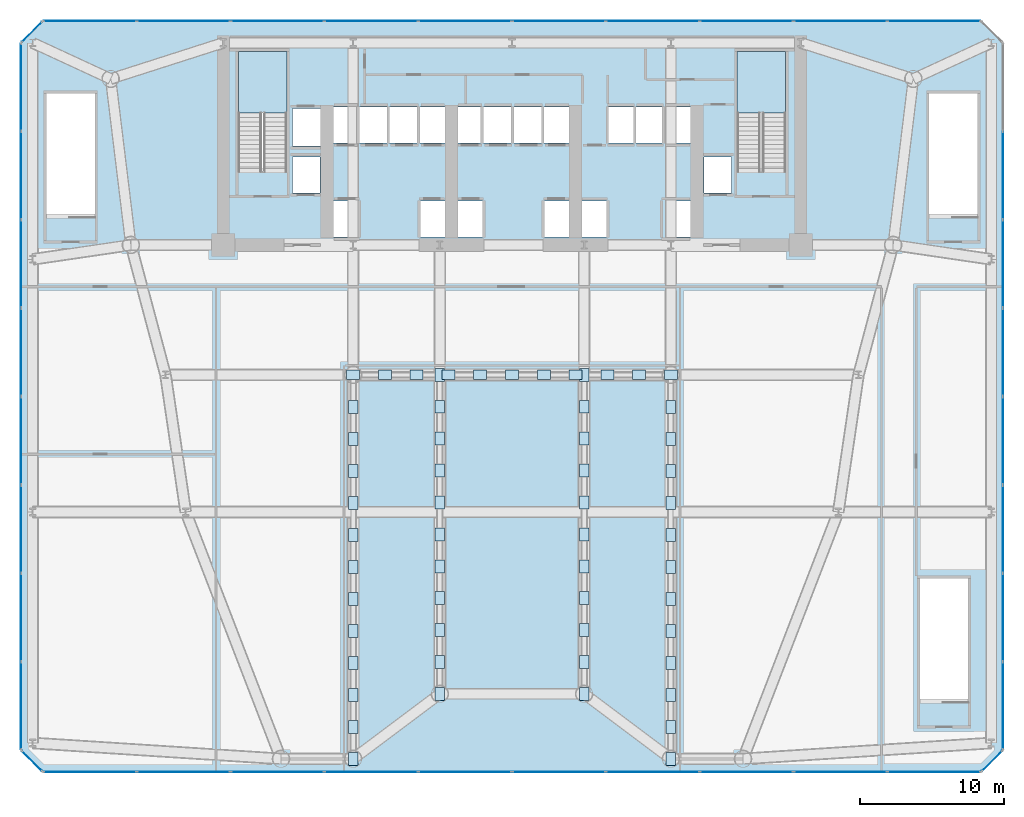
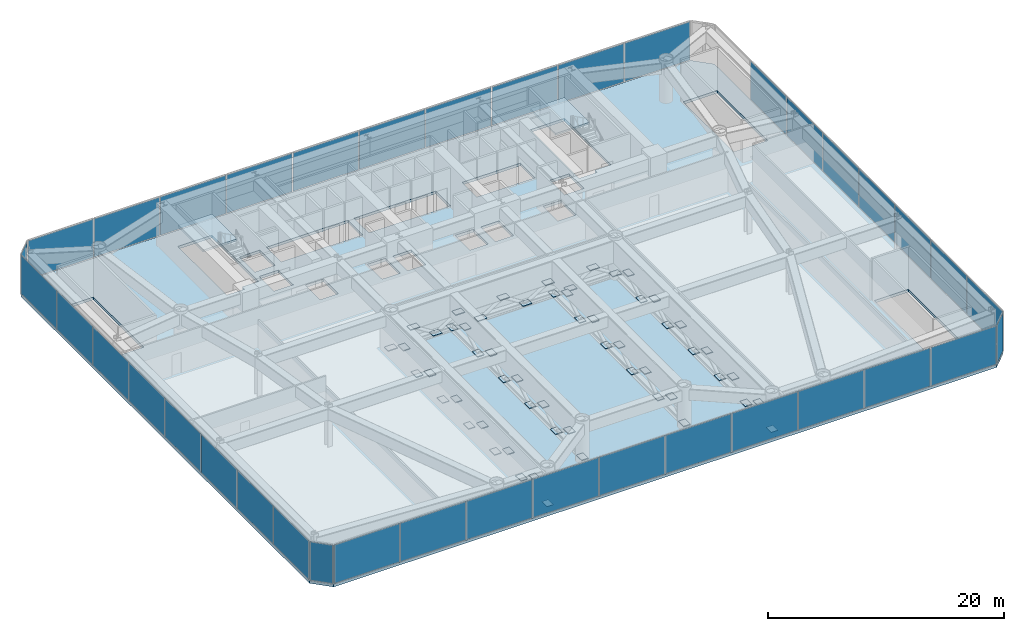
# One storey, part 12 of 21: 95 plates, 3 slabs, 9 elements without a shape of their own.
"""IFC4 building model written with IfcOpenShell, lengths in metres."""

from ifc_helpers import new_model, si_unit, direction, frame, origin, origin_2d, place, context, subcontext, project, spatial, polyline, rectangle, outline, extrude, source, transform, mapped, material, layer, layer_set, type_object, element, aggregate, save


model = new_model("IFC4")

# Units and contexts
model_context = context("Model", 3, precision=1e-05, world=origin(), true_north=direction((0.0, 1.0)))
body_context = subcontext(model_context, "Body", "Model", "MODEL_VIEW")
ifc_project = project(units=[si_unit("LENGTHUNIT", "METRE"), si_unit("AREAUNIT", "SQUARE_METRE"), si_unit("VOLUMEUNIT", "CUBIC_METRE"), si_unit("PLANEANGLEUNIT", "RADIAN"), si_unit("MASSUNIT", "GRAM", prefix="KILO")], contexts=[model_context])

# Site, building, storey
site_placement = place(None, origin())
site = spatial("IfcSite", under=ifc_project, at=site_placement, CompositionType="ELEMENT")
building_placement = place(site_placement, origin())
building = spatial("IfcBuilding", under=site, at=building_placement, Name="Vaeldorn Concourse Tower", CompositionType="ELEMENT")
storey_placement = place(building_placement, frame((0.0, 0.0, 14.39990234375)))
storey = spatial("IfcBuildingStorey", under=building, at=storey_placement, Name="L03", CompositionType="ELEMENT", Elevation=14.39990234375)

# Slab
ifc_material_1 = material(Name="Concrete C40/50", Category="concrete")
ifc_layer_1 = layer(ifc_material_1, 0.280029296875)
ifc_layer_set_1 = layer_set([ifc_layer_1], Name="Concrete C40/50")
slab_type_1 = type_object("IfcSlabType", Name="SL-POD-280", PredefinedType="FLOOR", material=ifc_layer_set_1)
slab_1_placement = place(storey_placement, frame((0.0, 0.0, -0.27978515625)))
element("IfcSlab", 1, at=slab_1_placement, inside=storey, type_object=slab_type_1, Name="Structural Floor Slab L03", PredefinedType="FLOOR", context=body_context, shape_type="SweptSolid", body=[
    extrude(outline(polyline([(1.5, 0.0), (66.5, 0.0), (68.0, 1.5), (68.0, 50.5), (66.5, 52.0), (1.5, 52.0), (0.0, 50.5), (0.0, 1.5), (1.5, 0.0)]), holes=[polyline([(18.39990234375, 42.0), (18.39990234375, 49.89990234375), (15.050048828125, 49.89990234375), (15.050048828125, 41.60009765625), (16.800048828125, 41.60009765625), (16.800048828125, 42.0), (18.39990234375, 42.0)]), polyline([(52.949951171875, 42.0), (52.949951171875, 49.89990234375), (49.60009765625, 49.89990234375), (49.60009765625, 41.60009765625), (51.35009765625, 41.60009765625), (51.35009765625, 42.0), (52.949951171875, 42.0)]), polyline([(5.10009765625, 38.449951171875), (5.10009765625, 47.0), (1.75, 47.0), (1.75, 38.449951171875), (5.10009765625, 38.449951171875)]), polyline([(66.25, 38.449951171875), (66.25, 47.0), (62.89990234375, 47.0), (62.89990234375, 38.449951171875), (66.25, 38.449951171875)]), polyline([(65.60009765625, 4.85009765625), (65.60009765625, 13.39990234375), (62.25, 13.39990234375), (62.25, 4.85009765625), (65.60009765625, 4.85009765625)]), polyline([(21.550048828125, 37.050048828125), (23.35009765625, 37.050048828125), (23.35009765625, 39.550048828125), (21.550048828125, 39.550048828125), (21.550048828125, 37.050048828125)]), polyline([(27.64990234375, 37.050048828125), (29.449951171875, 37.050048828125), (29.449951171875, 39.550048828125), (27.64990234375, 39.550048828125), (27.64990234375, 37.050048828125)]), polyline([(21.5, 43.550048828125), (29.5, 43.550048828125), (29.5, 46.050048828125), (21.5, 46.050048828125), (21.5, 43.550048828125)]), polyline([(30.14990234375, 37.050048828125), (31.949951171875, 37.050048828125), (31.949951171875, 39.550048828125), (30.14990234375, 39.550048828125), (30.14990234375, 37.050048828125)]), polyline([(36.25, 37.050048828125), (38.050048828125, 37.050048828125), (38.050048828125, 39.550048828125), (36.25, 39.550048828125), (36.25, 37.050048828125)]), polyline([(30.10009765625, 43.550048828125), (38.10009765625, 43.550048828125), (38.10009765625, 46.050048828125), (30.10009765625, 46.050048828125), (30.10009765625, 43.550048828125)]), polyline([(38.75, 37.050048828125), (40.550048828125, 37.050048828125), (40.550048828125, 39.550048828125), (38.75, 39.550048828125), (38.75, 37.050048828125)]), polyline([(44.85009765625, 37.050048828125), (46.64990234375, 37.050048828125), (46.64990234375, 39.550048828125), (44.85009765625, 39.550048828125), (44.85009765625, 37.050048828125)]), polyline([(40.699951171875, 43.550048828125), (46.39990234375, 43.550048828125), (46.39990234375, 46.050048828125), (40.699951171875, 46.050048828125), (40.699951171875, 43.550048828125)]), polyline([(18.800048828125, 43.35009765625), (20.800048828125, 43.35009765625), (20.800048828125, 45.949951171875), (18.800048828125, 45.949951171875), (18.800048828125, 43.35009765625)]), polyline([(18.800048828125, 40.10009765625), (20.699951171875, 40.10009765625), (20.699951171875, 42.60009765625), (18.800048828125, 42.60009765625), (18.800048828125, 40.10009765625)]), polyline([(47.300048828125, 40.10009765625), (49.199951171875, 40.10009765625), (49.199951171875, 42.60009765625), (47.300048828125, 42.60009765625), (47.300048828125, 40.10009765625)])]), origin(), (0.0, 0.0, 1.0), 0.27978515625),
])

# Stair, slab
ifc_material_2 = material(Name="Precast concrete C40/50", Category="concrete")
stair_type = type_object("IfcStairType", Name="STR-DOG-28x157", PredefinedType="HALF_TURN_STAIR", material=ifc_material_2)
stair_1_placement = place(storey_placement, origin())
stair_1 = element("IfcStair", 2, at=stair_1_placement, inside=storey, type_object=stair_type, Name="L03 West Core Exit Stair ST-1", PredefinedType="HALF_TURN_STAIR")
ifc_layer_2 = layer(ifc_material_1, 0.199951171875)
ifc_layer_set_2 = layer_set([ifc_layer_2], Name="Concrete C40/50")
slab_type_2 = type_object("IfcSlabType", Name="SL-STAIR-LANDING", PredefinedType="LANDING", material=ifc_layer_set_2)
slab_2_placement = place(storey_placement, frame((0.0, 0.0, 2.0)))
slab_2 = element("IfcSlab", 3, at=slab_2_placement, type_object=slab_type_2, Name="ST-1 landing 1", PredefinedType="LANDING", context=body_context, shape_type="SweptSolid", body=[
    extrude(outline(polyline([(18.39990234375, 45.6298828125), (18.39990234375, 49.89990234375), (15.050048828125, 49.89990234375), (15.050048828125, 45.6298828125), (18.39990234375, 45.6298828125)])), origin(), (0.0, 0.0, 1.0), 0.2001953125),
])
aggregate(stair_1, [slab_2])

stair_2_placement = place(storey_placement, origin())
stair_2 = element("IfcStair", 4, at=stair_2_placement, inside=storey, type_object=stair_type, Name="L03 East Core Exit Stair ST-2", PredefinedType="HALF_TURN_STAIR")
slab_3_placement = place(storey_placement, frame((0.0, 0.0, 2.0)))
slab_3 = element("IfcSlab", 5, at=slab_3_placement, type_object=slab_type_2, Name="ST-2 landing 1", PredefinedType="LANDING", context=body_context, shape_type="SweptSolid", body=[
    extrude(outline(polyline([(52.949951171875, 45.6298828125), (52.949951171875, 49.89990234375), (49.60009765625, 49.89990234375), (49.60009765625, 45.6298828125), (52.949951171875, 45.6298828125)])), origin(), (0.0, 0.0, 1.0), 0.2001953125),
])
aggregate(stair_2, [slab_3])

# Plates
ifc_material_3 = material(Name="Steel S460", Category="steel")
ifc_layer_3 = layer(ifc_material_3, 0.050048828125)
ifc_layer_set_3 = layer_set([ifc_layer_3], Name="Steel S460")
plate_type_1 = type_object("IfcPlateType", Name="PL-GUSSET-TN1", PredefinedType="USERDEFINED", material=ifc_layer_set_3)
shared_shape_1 = source(origin(), body_context, "Body", "SweptSolid", [
    extrude(rectangle(XDim=0.89990234375, YDim=0.64990234375, at=origin_2d()), origin(), (0.0, 0.0, 1.0), 0.050048828125),
])
for number, where, z_axis, x_axis, name in (
    (6, (23.0, 5.333251953125, 0.294921875), (0.0, 0.0, 1.0), (0.0, 1.0, 0.0), "Transfer Node Gusset TN1-1.1"),
    (7, (23.0, 23.066650390625, 0.294921875), (0.0, 0.0, 1.0), (0.0, 1.0, 0.0), "Transfer Node Gusset TN1-1.2"),
    (8, (29.0, 9.820068359375, 0.294921875), (0.0, 0.0, 1.0), (0.0, 1.0, 0.0), "Transfer Node Gusset TN1-2.1"),
    (9, (29.0, 23.080078125, 0.294921875), (0.0, 0.0, 1.0), (0.0, 1.0, 0.0), "Transfer Node Gusset TN1-2.2"),
    (10, (39.0, 9.820068359375, 0.294921875), (0.0, 0.0, 1.0), (0.0, 1.0, 0.0), "Transfer Node Gusset TN1-3.1"),
    (11, (39.0, 23.080078125, 0.294921875), (0.0, 0.0, 1.0), (0.0, 1.0, 0.0), "Transfer Node Gusset TN1-3.2"),
    (12, (45.0, 5.333251953125, 0.294921875), (0.0, 0.0, 1.0), (0.0, 1.0, 0.0), "Transfer Node Gusset TN1-4.1"),
    (13, (45.0, 23.066650390625, 0.294921875), (0.0, 0.0, 1.0), (0.0, 1.0, 0.0), "Transfer Node Gusset TN1-4.2"),
    (14, (23.0, 27.5, 0.294921875), (0.0, 0.0, 1.0), (1.0, 0.0, 0.0), "Structural Brace Connection Gusset L03-01"),
    (15, (25.199951171875, 27.5, 1.6953125), (0.0, 0.0, 1.0), (1.0, 0.0, 0.0), "Structural Brace Connection Gusset L03-02"),
    (16, (27.39990234375, 27.5, 0.294921875), (0.0, 0.0, 1.0), (1.0, 0.0, 0.0), "Structural Brace Connection Gusset L03-03"),
    (17, (29.60009765625, 27.5, 1.6953125), (0.0, 0.0, 1.0), (1.0, 0.0, 0.0), "Structural Brace Connection Gusset L03-04"),
    (18, (31.800048828125, 27.5, 0.294921875), (0.0, 0.0, 1.0), (1.0, 0.0, 0.0), "Structural Brace Connection Gusset L03-05"),
    (19, (34.0, 27.5, 1.6953125), (0.0, 0.0, 1.0), (1.0, 0.0, 0.0), "Structural Brace Connection Gusset L03-06"),
    (20, (36.199951171875, 27.5, 0.294921875), (0.0, 0.0, 1.0), (1.0, 0.0, 0.0), "Structural Brace Connection Gusset L03-07"),
    (21, (38.39990234375, 27.5, 1.6953125), (0.0, 0.0, 1.0), (1.0, 0.0, 0.0), "Structural Brace Connection Gusset L03-08"),
    (22, (40.60009765625, 27.5, 0.294921875), (0.0, 0.0, 1.0), (1.0, 0.0, 0.0), "Structural Brace Connection Gusset L03-09"),
    (23, (42.800048828125, 27.5, 1.6953125), (0.0, 0.0, 1.0), (1.0, 0.0, 0.0), "Structural Brace Connection Gusset L03-10"),
    (24, (45.0, 27.5, 0.294921875), (0.0, 0.0, 1.0), (1.0, 0.0, 0.0), "Structural Brace Connection Gusset L03-11"),
    (25, (23.0, 0.89990234375, 0.294921875), (0.0, 0.0, 1.0), (0.0, 1.0, 0.0), "Structural Brace Connection Gusset L03-12"),
    (26, (23.0, 3.11669921875, 1.6953125), (0.0, 0.0, 1.0), (0.0, 1.0, 0.0), "Structural Brace Connection Gusset L03-13"),
    (27, (23.0, 7.550048828125, 1.6953125), (0.0, 0.0, 1.0), (0.0, 1.0, 0.0), "Structural Brace Connection Gusset L03-14"),
    (28, (23.0, 9.7666015625, 0.294921875), (0.0, 0.0, 1.0), (0.0, 1.0, 0.0), "Structural Brace Connection Gusset L03-15"),
    (29, (23.0, 11.9833984375, 1.6953125), (0.0, 0.0, 1.0), (0.0, 1.0, 0.0), "Structural Brace Connection Gusset L03-16"),
    (30, (23.0, 14.199951171875, 0.294921875), (0.0, 0.0, 1.0), (0.0, 1.0, 0.0), "Structural Brace Connection Gusset L03-17"),
    (31, (23.0, 16.416748046875, 1.6953125), (0.0, 0.0, 1.0), (0.0, 1.0, 0.0), "Structural Brace Connection Gusset L03-18"),
    (32, (23.0, 18.63330078125, 0.294921875), (0.0, 0.0, 1.0), (0.0, 1.0, 0.0), "Structural Brace Connection Gusset L03-19"),
    (33, (23.0, 20.85009765625, 1.6953125), (0.0, 0.0, 1.0), (0.0, 1.0, 0.0), "Structural Brace Connection Gusset L03-20"),
    (34, (23.0, 25.283203125, 1.6953125), (0.0, 0.0, 1.0), (0.0, 1.0, 0.0), "Structural Brace Connection Gusset L03-21"),
    (35, (29.0, 5.39990234375, 0.294921875), (0.0, 0.0, 1.0), (0.0, 1.0, 0.0), "Structural Brace Connection Gusset L03-22"),
    (36, (29.0, 7.610107421875, 1.6953125), (0.0, 0.0, 1.0), (0.0, 1.0, 0.0), "Structural Brace Connection Gusset L03-23"),
    (37, (29.0, 12.030029296875, 1.6953125), (0.0, 0.0, 1.0), (0.0, 1.0, 0.0), "Structural Brace Connection Gusset L03-24"),
    (38, (29.0, 14.239990234375, 0.294921875), (0.0, 0.0, 1.0), (0.0, 1.0, 0.0), "Structural Brace Connection Gusset L03-25"),
    (39, (29.0, 16.449951171875, 1.6953125), (0.0, 0.0, 1.0), (0.0, 1.0, 0.0), "Structural Brace Connection Gusset L03-26"),
    (40, (29.0, 18.659912109375, 0.294921875), (0.0, 0.0, 1.0), (0.0, 1.0, 0.0), "Structural Brace Connection Gusset L03-27"),
    (41, (29.0, 20.8701171875, 1.6953125), (0.0, 0.0, 1.0), (0.0, 1.0, 0.0), "Structural Brace Connection Gusset L03-28"),
    (42, (29.0, 25.2900390625, 1.6953125), (0.0, 0.0, 1.0), (0.0, 1.0, 0.0), "Structural Brace Connection Gusset L03-29"),
    (43, (29.0, 27.5, 0.294921875), (0.0, 0.0, 1.0), (0.0, 1.0, 0.0), "Structural Brace Connection Gusset L03-30"),
    (44, (39.0, 5.39990234375, 0.294921875), (0.0, 0.0, 1.0), (0.0, 1.0, 0.0), "Structural Brace Connection Gusset L03-31"),
    (45, (39.0, 7.610107421875, 1.6953125), (0.0, 0.0, 1.0), (0.0, 1.0, 0.0), "Structural Brace Connection Gusset L03-32"),
    (46, (39.0, 12.030029296875, 1.6953125), (0.0, 0.0, 1.0), (0.0, 1.0, 0.0), "Structural Brace Connection Gusset L03-33"),
    (47, (39.0, 14.239990234375, 0.294921875), (0.0, 0.0, 1.0), (0.0, 1.0, 0.0), "Structural Brace Connection Gusset L03-34"),
    (48, (39.0, 16.449951171875, 1.6953125), (0.0, 0.0, 1.0), (0.0, 1.0, 0.0), "Structural Brace Connection Gusset L03-35"),
    (49, (39.0, 18.659912109375, 0.294921875), (0.0, 0.0, 1.0), (0.0, 1.0, 0.0), "Structural Brace Connection Gusset L03-36"),
    (50, (39.0, 20.8701171875, 1.6953125), (0.0, 0.0, 1.0), (0.0, 1.0, 0.0), "Structural Brace Connection Gusset L03-37"),
    (51, (39.0, 25.2900390625, 1.6953125), (0.0, 0.0, 1.0), (0.0, 1.0, 0.0), "Structural Brace Connection Gusset L03-38"),
    (52, (39.0, 27.5, 0.294921875), (0.0, 0.0, 1.0), (0.0, 1.0, 0.0), "Structural Brace Connection Gusset L03-39"),
    (53, (45.0, 0.89990234375, 0.294921875), (0.0, 0.0, 1.0), (0.0, 1.0, 0.0), "Structural Brace Connection Gusset L03-40"),
    (54, (45.0, 3.11669921875, 1.6953125), (0.0, 0.0, 1.0), (0.0, 1.0, 0.0), "Structural Brace Connection Gusset L03-41"),
    (55, (45.0, 7.550048828125, 1.6953125), (0.0, 0.0, 1.0), (0.0, 1.0, 0.0), "Structural Brace Connection Gusset L03-42"),
    (56, (45.0, 9.7666015625, 0.294921875), (0.0, 0.0, 1.0), (0.0, 1.0, 0.0), "Structural Brace Connection Gusset L03-43"),
    (57, (45.0, 11.9833984375, 1.6953125), (0.0, 0.0, 1.0), (0.0, 1.0, 0.0), "Structural Brace Connection Gusset L03-44"),
    (58, (45.0, 14.199951171875, 0.294921875), (0.0, 0.0, 1.0), (0.0, 1.0, 0.0), "Structural Brace Connection Gusset L03-45"),
    (59, (45.0, 16.416748046875, 1.6953125), (0.0, 0.0, 1.0), (0.0, 1.0, 0.0), "Structural Brace Connection Gusset L03-46"),
    (60, (45.0, 18.63330078125, 0.294921875), (0.0, 0.0, 1.0), (0.0, 1.0, 0.0), "Structural Brace Connection Gusset L03-47"),
    (61, (45.0, 20.85009765625, 1.6953125), (0.0, 0.0, 1.0), (0.0, 1.0, 0.0), "Structural Brace Connection Gusset L03-48"),
    (62, (45.0, 25.283203125, 1.6953125), (0.0, 0.0, 1.0), (0.0, 1.0, 0.0), "Structural Brace Connection Gusset L03-49"),
):
    element("IfcPlate", number, at=place(storey_placement, frame(where, z_axis=z_axis, x_axis=x_axis)), inside=storey, type_object=plate_type_1, Name=name, ObjectType="GUSSET PLATE", PredefinedType="USERDEFINED", context=body_context, shape_type="MappedRepresentation", body=[
        mapped(shared_shape_1, transform((0.0, 0.0, 0.0), scale=1.0)),
    ])

# Curtain wall, plates
ifc_material_4 = material(Name="Anodised Bronze Aluminium", Category="aluminium")
ifc_layer_4 = layer(ifc_material_4, 0.239990234375)
ifc_layer_set_4 = layer_set([ifc_layer_4], Name="Anodised Bronze Aluminium")
curtain_wall_type = type_object("IfcCurtainWallType", Name="CW-SYS-04", PredefinedType="NOTDEFINED", material=ifc_layer_set_4)
curtain_wall_1_placement = place(storey_placement, origin())
curtain_wall_1 = element("IfcCurtainWall", 63, at=curtain_wall_1_placement, inside=storey, type_object=curtain_wall_type, Name="Unitised Curtain Wall CW-L03-E01-1", PredefinedType="NOTDEFINED")
ifc_material_5 = material(Name="Bronze Tinted Low-E Insulated Glass", Category="glass")
ifc_layer_5 = layer(ifc_material_5, 0.031982421875)
ifc_layer_set_5 = layer_set([ifc_layer_5], Name="Bronze Tinted Low-E Insulated Glass")
plate_type_2 = type_object("IfcPlateType", Name="CWP-VISION-32", PredefinedType="CURTAIN_PANEL", material=ifc_layer_set_5)
shared_shape_2 = source(origin(), body_context, "Body", "SweptSolid", [
    extrude(rectangle(XDim=6.387451171875, YDim=0.031982421875, at=origin_2d()), origin(), (0.0, 0.0, 1.0), 3.969970703125),
])
plate_1_placement = place(storey_placement, frame((4.768798828125, 0.0, 0.0751953125), z_axis=(0.0, 0.0, 1.0), x_axis=(1.0, 0.0, 0.0)))
plate_1 = element("IfcPlate", 64, at=plate_1_placement, type_object=plate_type_2, Name="CW-04 panel 1.1", PredefinedType="CURTAIN_PANEL", context=body_context, shape_type="MappedRepresentation", body=[
    mapped(shared_shape_2, transform((0.0, 0.0, 0.0), scale=1.0)),
])
plate_2_placement = place(storey_placement, frame((63.231201171875, 0.0, 0.0751953125), z_axis=(0.0, 0.0, 1.0), x_axis=(1.0, 0.0, 0.0)))
plate_2 = element("IfcPlate", 65, at=plate_2_placement, type_object=plate_type_2, Name="CW-04 panel 10.1", PredefinedType="CURTAIN_PANEL", context=body_context, shape_type="MappedRepresentation", body=[
    mapped(shared_shape_2, transform((0.0, 0.0, 0.0), scale=1.0)),
])

curtain_wall_2_placement = place(storey_placement, origin())
curtain_wall_2 = element("IfcCurtainWall", 66, at=curtain_wall_2_placement, inside=storey, type_object=curtain_wall_type, Name="Unitised Curtain Wall CW-L03-E05-1", PredefinedType="NOTDEFINED")
plate_3_placement = place(storey_placement, frame((63.231201171875, 52.0, 0.0751953125), z_axis=(0.0, 0.0, 1.0), x_axis=(-1.0, 0.0, 0.0)))
plate_3 = element("IfcPlate", 67, at=plate_3_placement, type_object=plate_type_2, Name="CW-04 panel 1.1", PredefinedType="CURTAIN_PANEL", context=body_context, shape_type="MappedRepresentation", body=[
    mapped(shared_shape_2, transform((0.0, 0.0, 0.0), scale=1.0)),
])
plate_4_placement = place(storey_placement, frame((4.768798828125, 52.0, 0.0751953125), z_axis=(0.0, 0.0, 1.0), x_axis=(-1.0, 0.0, 0.0)))
plate_4 = element("IfcPlate", 68, at=plate_4_placement, type_object=plate_type_2, Name="CW-04 panel 10.1", PredefinedType="CURTAIN_PANEL", context=body_context, shape_type="MappedRepresentation", body=[
    mapped(shared_shape_2, transform((0.0, 0.0, 0.0), scale=1.0)),
])

# Plate
shared_shape_3 = source(origin(), body_context, "Body", "SweptSolid", [
    extrude(rectangle(XDim=6.425048828125, YDim=0.031982421875, at=origin_2d()), origin(), (0.0, 0.0, 1.0), 3.969970703125),
])
plate_5_placement = place(storey_placement, frame((11.25, 0.0, 0.0751953125), z_axis=(0.0, 0.0, 1.0), x_axis=(1.0, 0.0, 0.0)))
plate_5 = element("IfcPlate", 69, at=plate_5_placement, type_object=plate_type_2, Name="CW-04 panel 2.1", PredefinedType="CURTAIN_PANEL", context=body_context, shape_type="MappedRepresentation", body=[
    mapped(shared_shape_3, transform((0.0, 0.0, 0.0), scale=1.0)),
])

plate_6_placement = place(storey_placement, frame((17.75, 0.0, 0.0751953125), z_axis=(0.0, 0.0, 1.0), x_axis=(1.0, 0.0, 0.0)))
plate_6 = element("IfcPlate", 70, at=plate_6_placement, type_object=plate_type_2, Name="CW-04 panel 3.1", PredefinedType="CURTAIN_PANEL", context=body_context, shape_type="MappedRepresentation", body=[
    mapped(shared_shape_3, transform((0.0, 0.0, 0.0), scale=1.0)),
])

plate_7_placement = place(storey_placement, frame((24.25, 0.0, 0.0751953125), z_axis=(0.0, 0.0, 1.0), x_axis=(1.0, 0.0, 0.0)))
plate_7 = element("IfcPlate", 71, at=plate_7_placement, type_object=plate_type_2, Name="CW-04 panel 4.1", PredefinedType="CURTAIN_PANEL", context=body_context, shape_type="MappedRepresentation", body=[
    mapped(shared_shape_3, transform((0.0, 0.0, 0.0), scale=1.0)),
])

plate_8_placement = place(storey_placement, frame((30.75, 0.0, 0.0751953125), z_axis=(0.0, 0.0, 1.0), x_axis=(1.0, 0.0, 0.0)))
plate_8 = element("IfcPlate", 72, at=plate_8_placement, type_object=plate_type_2, Name="CW-04 panel 5.1", PredefinedType="CURTAIN_PANEL", context=body_context, shape_type="MappedRepresentation", body=[
    mapped(shared_shape_3, transform((0.0, 0.0, 0.0), scale=1.0)),
])

plate_9_placement = place(storey_placement, frame((37.25, 0.0, 0.0751953125), z_axis=(0.0, 0.0, 1.0), x_axis=(1.0, 0.0, 0.0)))
plate_9 = element("IfcPlate", 73, at=plate_9_placement, type_object=plate_type_2, Name="CW-04 panel 6.1", PredefinedType="CURTAIN_PANEL", context=body_context, shape_type="MappedRepresentation", body=[
    mapped(shared_shape_3, transform((0.0, 0.0, 0.0), scale=1.0)),
])

plate_10_placement = place(storey_placement, frame((43.75, 0.0, 0.0751953125), z_axis=(0.0, 0.0, 1.0), x_axis=(1.0, 0.0, 0.0)))
plate_10 = element("IfcPlate", 74, at=plate_10_placement, type_object=plate_type_2, Name="CW-04 panel 7.1", PredefinedType="CURTAIN_PANEL", context=body_context, shape_type="MappedRepresentation", body=[
    mapped(shared_shape_3, transform((0.0, 0.0, 0.0), scale=1.0)),
])

plate_11_placement = place(storey_placement, frame((50.25, 0.0, 0.0751953125), z_axis=(0.0, 0.0, 1.0), x_axis=(1.0, 0.0, 0.0)))
plate_11 = element("IfcPlate", 75, at=plate_11_placement, type_object=plate_type_2, Name="CW-04 panel 8.1", PredefinedType="CURTAIN_PANEL", context=body_context, shape_type="MappedRepresentation", body=[
    mapped(shared_shape_3, transform((0.0, 0.0, 0.0), scale=1.0)),
])

plate_12_placement = place(storey_placement, frame((56.75, 0.0, 0.0751953125), z_axis=(0.0, 0.0, 1.0), x_axis=(1.0, 0.0, 0.0)))
plate_12 = element("IfcPlate", 76, at=plate_12_placement, type_object=plate_type_2, Name="CW-04 panel 9.1", PredefinedType="CURTAIN_PANEL", context=body_context, shape_type="MappedRepresentation", body=[
    mapped(shared_shape_3, transform((0.0, 0.0, 0.0), scale=1.0)),
])

aggregate(curtain_wall_1, [plate_1, plate_5, plate_6, plate_7, plate_8, plate_9, plate_10, plate_11, plate_12, plate_2])

plate_13_placement = place(storey_placement, frame((56.75, 52.0, 0.0751953125), z_axis=(0.0, 0.0, 1.0), x_axis=(-1.0, 0.0, 0.0)))
plate_13 = element("IfcPlate", 77, at=plate_13_placement, type_object=plate_type_2, Name="CW-04 panel 2.1", PredefinedType="CURTAIN_PANEL", context=body_context, shape_type="MappedRepresentation", body=[
    mapped(shared_shape_3, transform((0.0, 0.0, 0.0), scale=1.0)),
])

plate_14_placement = place(storey_placement, frame((50.25, 52.0, 0.0751953125), z_axis=(0.0, 0.0, 1.0), x_axis=(-1.0, 0.0, 0.0)))
plate_14 = element("IfcPlate", 78, at=plate_14_placement, type_object=plate_type_2, Name="CW-04 panel 3.1", PredefinedType="CURTAIN_PANEL", context=body_context, shape_type="MappedRepresentation", body=[
    mapped(shared_shape_3, transform((0.0, 0.0, 0.0), scale=1.0)),
])

plate_15_placement = place(storey_placement, frame((43.75, 52.0, 0.0751953125), z_axis=(0.0, 0.0, 1.0), x_axis=(-1.0, 0.0, 0.0)))
plate_15 = element("IfcPlate", 79, at=plate_15_placement, type_object=plate_type_2, Name="CW-04 panel 4.1", PredefinedType="CURTAIN_PANEL", context=body_context, shape_type="MappedRepresentation", body=[
    mapped(shared_shape_3, transform((0.0, 0.0, 0.0), scale=1.0)),
])

plate_16_placement = place(storey_placement, frame((37.25, 52.0, 0.0751953125), z_axis=(0.0, 0.0, 1.0), x_axis=(-1.0, 0.0, 0.0)))
plate_16 = element("IfcPlate", 80, at=plate_16_placement, type_object=plate_type_2, Name="CW-04 panel 5.1", PredefinedType="CURTAIN_PANEL", context=body_context, shape_type="MappedRepresentation", body=[
    mapped(shared_shape_3, transform((0.0, 0.0, 0.0), scale=1.0)),
])

plate_17_placement = place(storey_placement, frame((30.75, 52.0, 0.0751953125), z_axis=(0.0, 0.0, 1.0), x_axis=(-1.0, 0.0, 0.0)))
plate_17 = element("IfcPlate", 81, at=plate_17_placement, type_object=plate_type_2, Name="CW-04 panel 6.1", PredefinedType="CURTAIN_PANEL", context=body_context, shape_type="MappedRepresentation", body=[
    mapped(shared_shape_3, transform((0.0, 0.0, 0.0), scale=1.0)),
])

plate_18_placement = place(storey_placement, frame((24.25, 52.0, 0.0751953125), z_axis=(0.0, 0.0, 1.0), x_axis=(-1.0, 0.0, 0.0)))
plate_18 = element("IfcPlate", 82, at=plate_18_placement, type_object=plate_type_2, Name="CW-04 panel 7.1", PredefinedType="CURTAIN_PANEL", context=body_context, shape_type="MappedRepresentation", body=[
    mapped(shared_shape_3, transform((0.0, 0.0, 0.0), scale=1.0)),
])

plate_19_placement = place(storey_placement, frame((17.75, 52.0, 0.0751953125), z_axis=(0.0, 0.0, 1.0), x_axis=(-1.0, 0.0, 0.0)))
plate_19 = element("IfcPlate", 83, at=plate_19_placement, type_object=plate_type_2, Name="CW-04 panel 8.1", PredefinedType="CURTAIN_PANEL", context=body_context, shape_type="MappedRepresentation", body=[
    mapped(shared_shape_3, transform((0.0, 0.0, 0.0), scale=1.0)),
])

plate_20_placement = place(storey_placement, frame((11.25, 52.0, 0.0751953125), z_axis=(0.0, 0.0, 1.0), x_axis=(-1.0, 0.0, 0.0)))
plate_20 = element("IfcPlate", 84, at=plate_20_placement, type_object=plate_type_2, Name="CW-04 panel 9.1", PredefinedType="CURTAIN_PANEL", context=body_context, shape_type="MappedRepresentation", body=[
    mapped(shared_shape_3, transform((0.0, 0.0, 0.0), scale=1.0)),
])

aggregate(curtain_wall_2, [plate_3, plate_13, plate_14, plate_15, plate_16, plate_17, plate_18, plate_19, plate_20, plate_4])

# Curtain wall, plate
curtain_wall_3_placement = place(storey_placement, origin())
curtain_wall_3 = element("IfcCurtainWall", 85, at=curtain_wall_3_placement, inside=storey, type_object=curtain_wall_type, Name="Unitised Curtain Wall CW-L03-E02-1", PredefinedType="NOTDEFINED")
shared_shape_4 = source(origin(), body_context, "Body", "SweptSolid", [
    extrude(rectangle(XDim=1.971435546875, YDim=0.031982421875, at=origin_2d()), origin(), (0.0, 0.0, 1.0), 3.969970703125),
])
plate_21_placement = place(storey_placement, frame((67.25, 0.75, 0.0751953125), z_axis=(0.0, 0.0, 1.0), x_axis=(0.707106781187, 0.707106781187, 0.0)))
plate_21 = element("IfcPlate", 86, at=plate_21_placement, type_object=plate_type_2, Name="CW-04 panel 1.1", PredefinedType="CURTAIN_PANEL", context=body_context, shape_type="MappedRepresentation", body=[
    mapped(shared_shape_4, transform((0.0, 0.0, 0.0), scale=1.0)),
])
aggregate(curtain_wall_3, [plate_21])

curtain_wall_4_placement = place(storey_placement, origin())
curtain_wall_4 = element("IfcCurtainWall", 87, at=curtain_wall_4_placement, inside=storey, type_object=curtain_wall_type, Name="Unitised Curtain Wall CW-L03-E06-1", PredefinedType="NOTDEFINED")
plate_22_placement = place(storey_placement, frame((0.75, 51.25, 0.0751953125), z_axis=(0.0, 0.0, 1.0), x_axis=(-0.707106781187, -0.707106781187, 0.0)))
plate_22 = element("IfcPlate", 88, at=plate_22_placement, type_object=plate_type_2, Name="CW-04 panel 1.1", PredefinedType="CURTAIN_PANEL", context=body_context, shape_type="MappedRepresentation", body=[
    mapped(shared_shape_4, transform((0.0, 0.0, 0.0), scale=1.0)),
])
aggregate(curtain_wall_4, [plate_22])

curtain_wall_5_placement = place(storey_placement, origin())
curtain_wall_5 = element("IfcCurtainWall", 89, at=curtain_wall_5_placement, inside=storey, type_object=curtain_wall_type, Name="Unitised Curtain Wall CW-L03-E08-1", PredefinedType="NOTDEFINED")
plate_23_placement = place(storey_placement, frame((0.75, 0.75, 0.0751953125), z_axis=(0.0, 0.0, 1.0), x_axis=(0.707106781187, -0.707106781187, 0.0)))
plate_23 = element("IfcPlate", 90, at=plate_23_placement, type_object=plate_type_2, Name="CW-04 panel 1.1", PredefinedType="CURTAIN_PANEL", context=body_context, shape_type="MappedRepresentation", body=[
    mapped(shared_shape_4, transform((0.0, 0.0, 0.0), scale=1.0)),
])
aggregate(curtain_wall_5, [plate_23])

curtain_wall_6_placement = place(storey_placement, origin())
curtain_wall_6 = element("IfcCurtainWall", 91, at=curtain_wall_6_placement, inside=storey, type_object=curtain_wall_type, Name="Unitised Curtain Wall CW-L03-E03-1", PredefinedType="NOTDEFINED")
shared_shape_5 = source(origin(), body_context, "Body", "SweptSolid", [
    extrude(rectangle(XDim=6.012451171875, YDim=0.031982421875, at=origin_2d()), origin(), (0.0, 0.0, 1.0), 3.969970703125),
])
plate_24_placement = place(storey_placement, frame((68.0, 4.581298828125, 0.0751953125), z_axis=(0.0, 0.0, 1.0), x_axis=(0.0, 1.0, 0.0)))
plate_24 = element("IfcPlate", 92, at=plate_24_placement, type_object=plate_type_2, Name="CW-04 panel 1.1", PredefinedType="CURTAIN_PANEL", context=body_context, shape_type="MappedRepresentation", body=[
    mapped(shared_shape_5, transform((0.0, 0.0, 0.0), scale=1.0)),
])

# Curtain wall, plates
curtain_wall_7_placement = place(storey_placement, origin())
curtain_wall_7 = element("IfcCurtainWall", 93, at=curtain_wall_7_placement, inside=storey, type_object=curtain_wall_type, Name="Unitised Curtain Wall CW-L03-E07-1", PredefinedType="NOTDEFINED")
plate_25_placement = place(storey_placement, frame((0.0, 47.418701171875, 0.0751953125), z_axis=(0.0, 0.0, 1.0), x_axis=(0.0, -1.0, 0.0)))
plate_25 = element("IfcPlate", 94, at=plate_25_placement, type_object=plate_type_2, Name="CW-04 panel 1.1", PredefinedType="CURTAIN_PANEL", context=body_context, shape_type="MappedRepresentation", body=[
    mapped(shared_shape_5, transform((0.0, 0.0, 0.0), scale=1.0)),
])
plate_26_placement = place(storey_placement, frame((0.0, 4.581298828125, 0.0751953125), z_axis=(0.0, 0.0, 1.0), x_axis=(0.0, -1.0, 0.0)))
plate_26 = element("IfcPlate", 95, at=plate_26_placement, type_object=plate_type_2, Name="CW-04 panel 8.1", PredefinedType="CURTAIN_PANEL", context=body_context, shape_type="MappedRepresentation", body=[
    mapped(shared_shape_5, transform((0.0, 0.0, 0.0), scale=1.0)),
])

# Plate
shared_shape_6 = source(origin(), body_context, "Body", "SweptSolid", [
    extrude(rectangle(XDim=6.050048828125, YDim=0.031982421875, at=origin_2d()), origin(), (0.0, 0.0, 1.0), 3.969970703125),
])
plate_27_placement = place(storey_placement, frame((68.0, 10.6875, 0.0751953125), z_axis=(0.0, 0.0, 1.0), x_axis=(0.0, 1.0, 0.0)))
plate_27 = element("IfcPlate", 96, at=plate_27_placement, type_object=plate_type_2, Name="CW-04 panel 2.1", PredefinedType="CURTAIN_PANEL", context=body_context, shape_type="MappedRepresentation", body=[
    mapped(shared_shape_6, transform((0.0, 0.0, 0.0), scale=1.0)),
])

plate_28_placement = place(storey_placement, frame((68.0, 16.8125, 0.0751953125), z_axis=(0.0, 0.0, 1.0), x_axis=(0.0, 1.0, 0.0)))
plate_28 = element("IfcPlate", 97, at=plate_28_placement, type_object=plate_type_2, Name="CW-04 panel 3.1", PredefinedType="CURTAIN_PANEL", context=body_context, shape_type="MappedRepresentation", body=[
    mapped(shared_shape_6, transform((0.0, 0.0, 0.0), scale=1.0)),
])

plate_29_placement = place(storey_placement, frame((68.0, 22.9375, 0.0751953125), z_axis=(0.0, 0.0, 1.0), x_axis=(0.0, 1.0, 0.0)))
plate_29 = element("IfcPlate", 98, at=plate_29_placement, type_object=plate_type_2, Name="CW-04 panel 4.1", PredefinedType="CURTAIN_PANEL", context=body_context, shape_type="MappedRepresentation", body=[
    mapped(shared_shape_6, transform((0.0, 0.0, 0.0), scale=1.0)),
])

plate_30_placement = place(storey_placement, frame((68.0, 29.0625, 0.0751953125), z_axis=(0.0, 0.0, 1.0), x_axis=(0.0, 1.0, 0.0)))
plate_30 = element("IfcPlate", 99, at=plate_30_placement, type_object=plate_type_2, Name="CW-04 panel 5.1", PredefinedType="CURTAIN_PANEL", context=body_context, shape_type="MappedRepresentation", body=[
    mapped(shared_shape_6, transform((0.0, 0.0, 0.0), scale=1.0)),
])

plate_31_placement = place(storey_placement, frame((68.0, 35.1875, 0.0751953125), z_axis=(0.0, 0.0, 1.0), x_axis=(0.0, 1.0, 0.0)))
plate_31 = element("IfcPlate", 100, at=plate_31_placement, type_object=plate_type_2, Name="CW-04 panel 6.1", PredefinedType="CURTAIN_PANEL", context=body_context, shape_type="MappedRepresentation", body=[
    mapped(shared_shape_6, transform((0.0, 0.0, 0.0), scale=1.0)),
])

plate_32_placement = place(storey_placement, frame((68.0, 41.3125, 0.0751953125), z_axis=(0.0, 0.0, 1.0), x_axis=(0.0, 1.0, 0.0)))
plate_32 = element("IfcPlate", 101, at=plate_32_placement, type_object=plate_type_2, Name="CW-04 panel 7.1", PredefinedType="CURTAIN_PANEL", context=body_context, shape_type="MappedRepresentation", body=[
    mapped(shared_shape_6, transform((0.0, 0.0, 0.0), scale=1.0)),
])

aggregate(curtain_wall_6, [plate_24, plate_27, plate_28, plate_29, plate_30, plate_31, plate_32])

plate_33_placement = place(storey_placement, frame((0.0, 41.3125, 0.0751953125), z_axis=(0.0, 0.0, 1.0), x_axis=(0.0, -1.0, 0.0)))
plate_33 = element("IfcPlate", 102, at=plate_33_placement, type_object=plate_type_2, Name="CW-04 panel 2.1", PredefinedType="CURTAIN_PANEL", context=body_context, shape_type="MappedRepresentation", body=[
    mapped(shared_shape_6, transform((0.0, 0.0, 0.0), scale=1.0)),
])

plate_34_placement = place(storey_placement, frame((0.0, 35.1875, 0.0751953125), z_axis=(0.0, 0.0, 1.0), x_axis=(0.0, -1.0, 0.0)))
plate_34 = element("IfcPlate", 103, at=plate_34_placement, type_object=plate_type_2, Name="CW-04 panel 3.1", PredefinedType="CURTAIN_PANEL", context=body_context, shape_type="MappedRepresentation", body=[
    mapped(shared_shape_6, transform((0.0, 0.0, 0.0), scale=1.0)),
])

plate_35_placement = place(storey_placement, frame((0.0, 29.0625, 0.0751953125), z_axis=(0.0, 0.0, 1.0), x_axis=(0.0, -1.0, 0.0)))
plate_35 = element("IfcPlate", 104, at=plate_35_placement, type_object=plate_type_2, Name="CW-04 panel 4.1", PredefinedType="CURTAIN_PANEL", context=body_context, shape_type="MappedRepresentation", body=[
    mapped(shared_shape_6, transform((0.0, 0.0, 0.0), scale=1.0)),
])

plate_36_placement = place(storey_placement, frame((0.0, 22.9375, 0.0751953125), z_axis=(0.0, 0.0, 1.0), x_axis=(0.0, -1.0, 0.0)))
plate_36 = element("IfcPlate", 105, at=plate_36_placement, type_object=plate_type_2, Name="CW-04 panel 5.1", PredefinedType="CURTAIN_PANEL", context=body_context, shape_type="MappedRepresentation", body=[
    mapped(shared_shape_6, transform((0.0, 0.0, 0.0), scale=1.0)),
])

plate_37_placement = place(storey_placement, frame((0.0, 16.8125, 0.0751953125), z_axis=(0.0, 0.0, 1.0), x_axis=(0.0, -1.0, 0.0)))
plate_37 = element("IfcPlate", 106, at=plate_37_placement, type_object=plate_type_2, Name="CW-04 panel 6.1", PredefinedType="CURTAIN_PANEL", context=body_context, shape_type="MappedRepresentation", body=[
    mapped(shared_shape_6, transform((0.0, 0.0, 0.0), scale=1.0)),
])

plate_38_placement = place(storey_placement, frame((0.0, 10.6875, 0.0751953125), z_axis=(0.0, 0.0, 1.0), x_axis=(0.0, -1.0, 0.0)))
plate_38 = element("IfcPlate", 107, at=plate_38_placement, type_object=plate_type_2, Name="CW-04 panel 7.1", PredefinedType="CURTAIN_PANEL", context=body_context, shape_type="MappedRepresentation", body=[
    mapped(shared_shape_6, transform((0.0, 0.0, 0.0), scale=1.0)),
])

aggregate(curtain_wall_7, [plate_25, plate_33, plate_34, plate_35, plate_36, plate_37, plate_38, plate_26])

save(model, "model.ifc")
